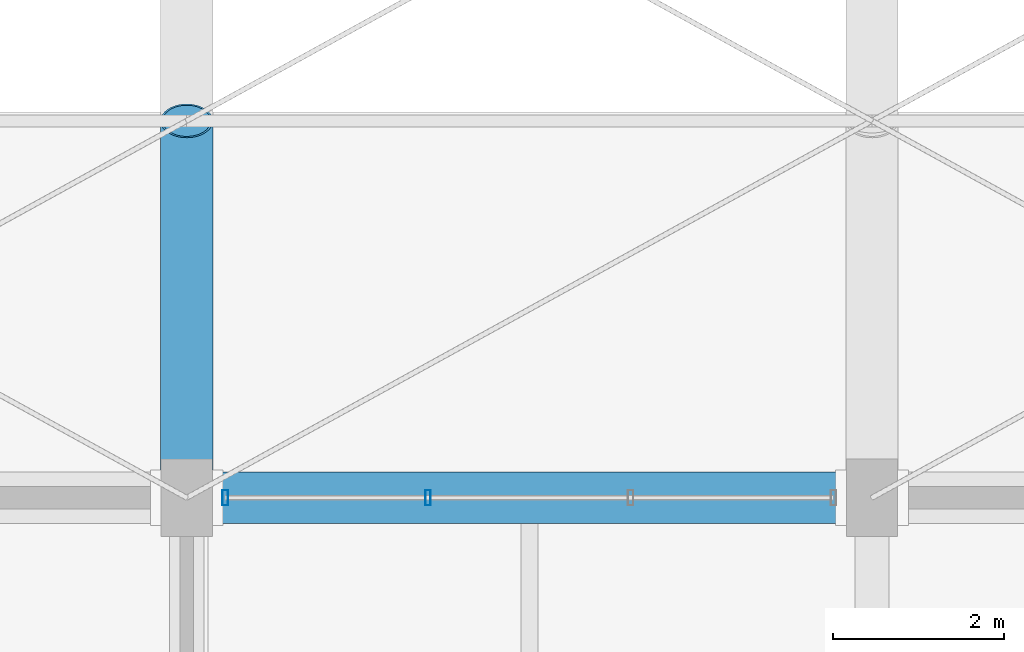
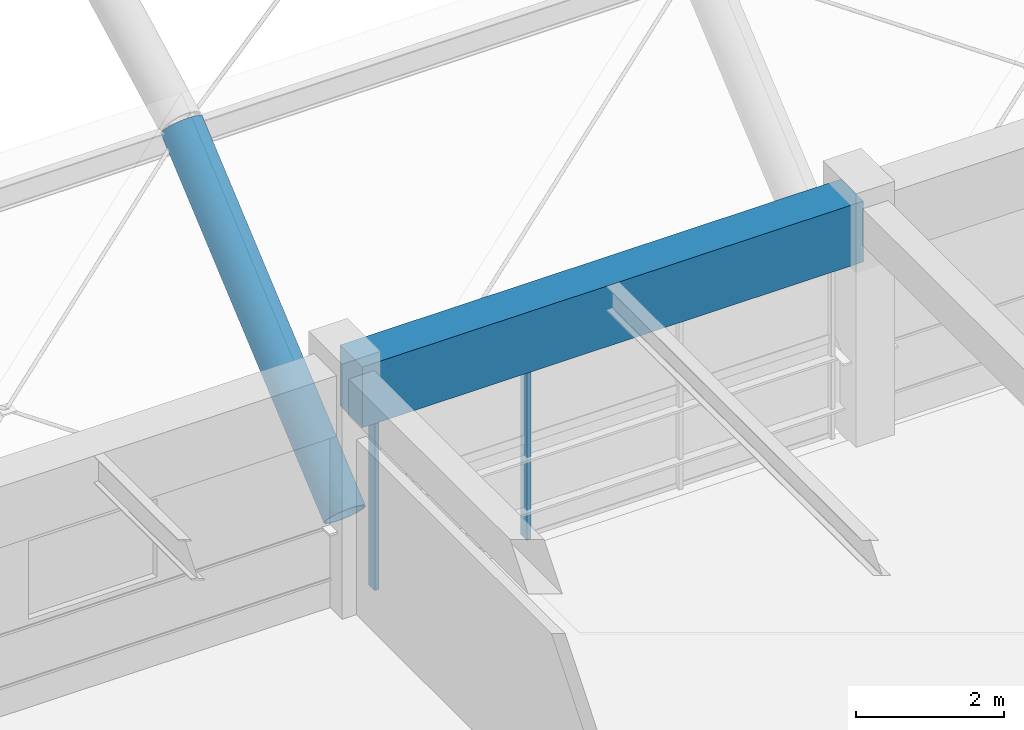
# One storey, part 78 of 126: 2 beams, 2 members, 1 element without a shape of its own.
"""IFC4 building model written with IfcOpenShell, lengths in metres."""

from ifc_helpers import new_model, si_unit, direction, frame, origin, origin_2d, place, context, subcontext, project, spatial, rectangle, hollow_rectangle, hollow_circle, extrude, material, material_profile, profile_set, type_object, element, aggregate, save


model = new_model("IFC4")

# Units and contexts
model_context = context("Model", 3, precision=1e-05, world=origin(), true_north=direction((0.0, 1.0)))
body_context = subcontext(model_context, "Body", "Model", "MODEL_VIEW")
ifc_project = project(units=[si_unit("LENGTHUNIT", "METRE"), si_unit("AREAUNIT", "SQUARE_METRE"), si_unit("VOLUMEUNIT", "CUBIC_METRE"), si_unit("PLANEANGLEUNIT", "RADIAN"), si_unit("MASSUNIT", "GRAM", prefix="KILO")], contexts=[model_context])

# Site, building, storey
site_placement = place(None, origin())
site = spatial("IfcSite", under=ifc_project, at=site_placement, CompositionType="ELEMENT")
building_placement = place(site_placement, origin())
building = spatial("IfcBuilding", under=site, at=building_placement, Name="Varnabhumi Central Station", CompositionType="ELEMENT")
storey_placement = place(building_placement, frame((0.0, 0.0, 16.199951171875)))
storey = spatial("IfcBuildingStorey", under=building, at=storey_placement, Name="L03", CompositionType="ELEMENT", Elevation=16.199951171875)

# Beams
ifc_material_1 = material(Name="Structural steel E450", Category="steel")
ifc_material_profile_1 = material_profile(ifc_material_1, hollow_circle(Radius=0.304931640625, WallThickness=0.02490234375, at=origin_2d()), Name="Structural steel E450", Category="steel")
ifc_profile_set_1 = profile_set([ifc_material_profile_1], Name="Structural steel E450")
beam_type_1 = type_object("IfcBeamType", Name="BM-ARCH-CHS610", PredefinedType="BEAM", material=ifc_profile_set_1)
beam_1_placement = place(storey_placement, frame((152.0, 36.0, 1.35009765625), z_axis=(0.0, 0.761369888875, 0.648317740244), x_axis=(-1.0, 0.0, 0.0)))
element("IfcBeam", 1, at=beam_1_placement, inside=storey, type_object=beam_type_1, Name="Platform Train-Shed Vault Arch Rib 4 Seg 1", PredefinedType="BEAM", context=body_context, shape_type="SweptSolid", body=[
    extrude(hollow_circle(Radius=0.304931640625, WallThickness=0.02490234375, at=origin_2d()), origin(), (0.0, 0.0, 1.0), 5.77880859375),
])
ifc_material_2 = material(Name="Concrete M50", Category="concrete")
ifc_material_profile_2 = material_profile(ifc_material_2, rectangle(XDim=0.60009765625, YDim=1.0, at=origin_2d()), Name="Concrete M50", Category="concrete")
ifc_profile_set_2 = profile_set([ifc_material_profile_2], Name="Concrete M50")
beam_type_2 = type_object("IfcBeamType", Name="BM-RC-600x1000", PredefinedType="BEAM", material=ifc_profile_set_2)
beam_2_placement = place(storey_placement, frame((152.10009765625, 36.0, 3.420166015625), z_axis=(1.0, 0.0, 0.0), x_axis=(0.0, 1.0, 0.0)))
element("IfcBeam", 2, at=beam_2_placement, inside=storey, type_object=beam_type_2, Name="Beam L03-E:20-21", PredefinedType="BEAM", context=body_context, shape_type="SweptSolid", body=[
    extrude(rectangle(XDim=0.60009765625, YDim=1.0, at=origin_2d()), origin(), (0.0, 0.0, 1.0), 7.7998046875),
])

# Curtain wall, members
ifc_material_3 = material(Name="Anodised aluminium 6063-T6", Category="aluminium")
curtain_wall_type = type_object("IfcCurtainWallType", Name="CW-SPINE-SCREEN-L0", PredefinedType="NOTDEFINED", material=ifc_material_3)
curtain_wall_placement = place(storey_placement, origin())
curtain_wall = element("IfcCurtainWall", 3, at=curtain_wall_placement, inside=storey, type_object=curtain_wall_type, Name="Curtain Wall CW-SS315", PredefinedType="NOTDEFINED")
ifc_material_profile_3 = material_profile(ifc_material_3, hollow_rectangle(XDim=0.06494140625, YDim=0.179931640625, WallThickness=0.00390625, InnerFilletRadius=0.001953125, OuterFilletRadius=0.006103515625, at=origin_2d()), Name="Anodised aluminium 6063-T6", Category="aluminium")
ifc_profile_set_3 = profile_set([ifc_material_profile_3], Name="Anodised aluminium 6063-T6")
member_type = type_object("IfcMemberType", Name="CW-MUL-180", PredefinedType="MULLION", material=ifc_profile_set_3)
member_1_placement = place(storey_placement, frame((152.449951171875, 36.0, 0.0), z_axis=(0.0, 0.0, 1.0), x_axis=(1.0, 0.0, 0.0)))
member_1 = element("IfcMember", 4, at=member_1_placement, type_object=member_type, Name="Curtain Wall Mullion CW-SS315-M1", PredefinedType="MULLION", context=body_context, shape_type="SweptSolid", body=[
    extrude(hollow_rectangle(XDim=0.06494140625, YDim=0.179931640625, WallThickness=0.00390625, InnerFilletRadius=0.001953125, OuterFilletRadius=0.006103515625, at=origin_2d()), origin(), (0.0, 0.0, 1.0), 3.239990234375),
])
member_2_placement = place(storey_placement, frame((154.816650390625, 36.0, 0.0), z_axis=(0.0, 0.0, 1.0), x_axis=(1.0, 0.0, 0.0)))
member_2 = element("IfcMember", 5, at=member_2_placement, type_object=member_type, Name="Curtain Wall Mullion CW-SS315-M2", PredefinedType="MULLION", context=body_context, shape_type="SweptSolid", body=[
    extrude(hollow_rectangle(XDim=0.06494140625, YDim=0.179931640625, WallThickness=0.00390625, InnerFilletRadius=0.001953125, OuterFilletRadius=0.006103515625, at=origin_2d()), origin(), (0.0, 0.0, 1.0), 3.239990234375),
])
aggregate(curtain_wall, [member_1, member_2])

save(model, "model.ifc")
